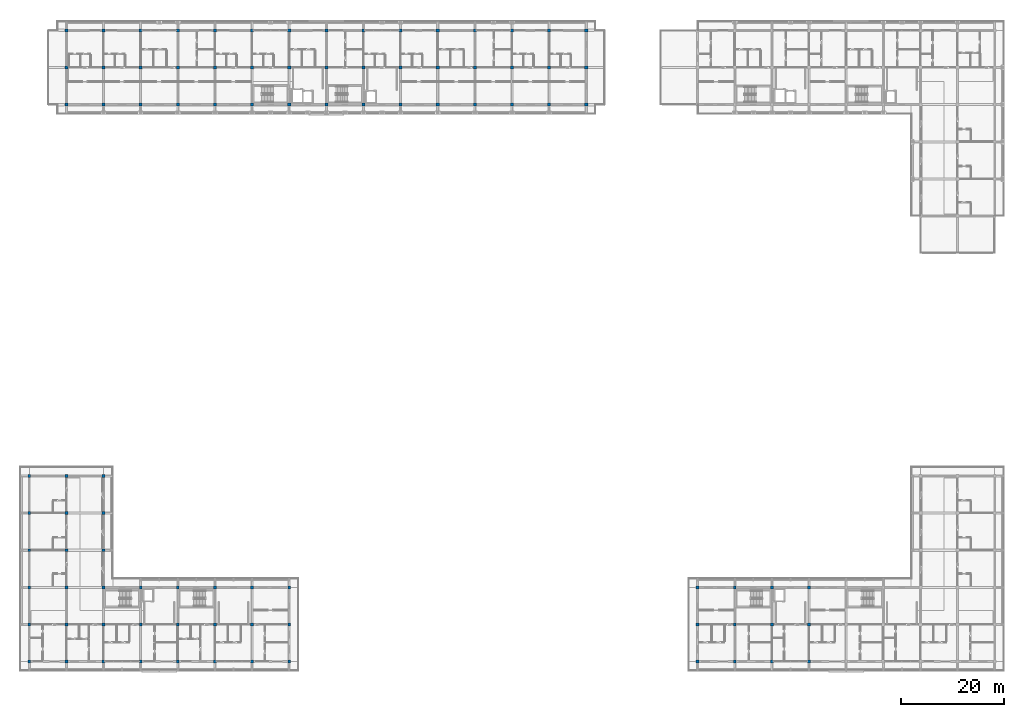
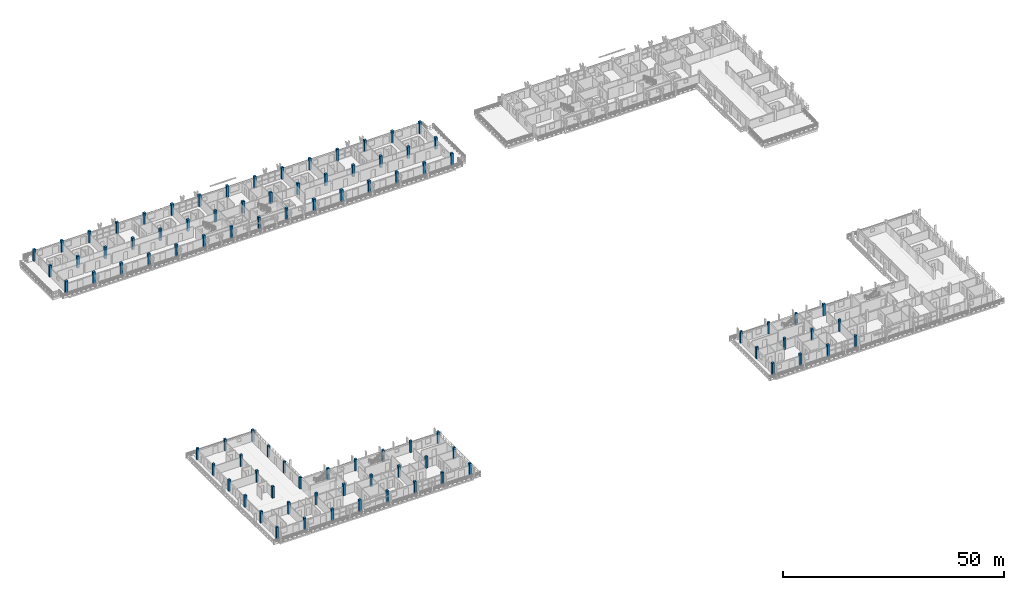
# One storey, part 1 of 73: 90 columns.
"""IFC4 building model written with IfcOpenShell, lengths in metres."""

import ifcopenshell
import ifcopenshell.guid

model = None  # the IFC model being written
_history = None  # IfcOwnerHistory: only IFC2X3 demands one
_inside = {}  # id of a spatial element -> (the spatial element, [elements in it])
_under = {}  # id of a project, library or spatial element -> (it, [spatial elements below it])
_declared = {}  # id of a project -> (the project, [libraries it declares])
_typed = {}  # id of a type object -> (the type object, [elements of that type])
_made_of = {}  # id of a material, layer set ... -> (it, [elements and type objects made of it])


def new_model(schema):
    """Start an empty IFC model of exactly this schema.

    Asked for "IFC4X3", IfcOpenShell would pick the latest addendum, in which some entities
    have other attributes; the version numbers below select the first issue.
    IFC2X3 requires an IfcOwnerHistory on every rooted entity: one is made here for all.
    """
    global model, _history
    if schema == "IFC4X3":
        model = ifcopenshell.file(schema_version=(4, 3, 0, 0))
    else:
        model = ifcopenshell.file(schema=schema)
    _inside.clear()
    _under.clear()
    _declared.clear()
    _typed.clear()
    _made_of.clear()
    _history = None
    if model.schema == "IFC2X3":
        org = make("IfcOrganization", Name="unknown")
        user = make(
            "IfcPersonAndOrganization",
            ThePerson=make("IfcPerson", FamilyName="unknown"),
            TheOrganization=org,
        )
        app = make(
            "IfcApplication",
            ApplicationDeveloper=org,
            Version="unknown",
            ApplicationFullName="unknown",
            ApplicationIdentifier="unknown",
        )
        _history = make(
            "IfcOwnerHistory",
            OwningUser=user,
            OwningApplication=app,
            ChangeAction="ADDED",
            CreationDate=0,
        )
    return model


def make(cls, **values):
    """One entity of the class cls with the attributes given. An attribute that is None is left unset."""
    return model.create_entity(
        cls, **{name: value for name, value in values.items() if value is not None}
    )


def rooted(cls, **values):
    """An entity with a GlobalId (a new one), such as an element, a storey or a relation."""
    return make(cls, GlobalId=ifcopenshell.guid.new(), OwnerHistory=_history, **values)


def si_unit(unit_type, name, prefix=None):
    """IfcSIUnit, for example si_unit("LENGTHUNIT", "METRE", prefix="MILLI")."""
    return make("IfcSIUnit", UnitType=unit_type, Prefix=prefix, Name=name)


def assignment(units):
    """IfcUnitAssignment: the units of a project."""
    return None if units is None else make("IfcUnitAssignment", Units=units)


def point(xyz):
    """IfcCartesianPoint."""
    return None if xyz is None else make("IfcCartesianPoint", Coordinates=xyz)


def direction(xyz):
    """IfcDirection."""
    return None if xyz is None else make("IfcDirection", DirectionRatios=xyz)


def frame(location, z_axis=None, x_axis=None):
    """IfcAxis2Placement3D, a coordinate frame: its origin and axes. An axis left out is left unset."""
    return make(
        "IfcAxis2Placement3D",
        Location=point(location),
        Axis=direction(z_axis),
        RefDirection=direction(x_axis),
    )


def frame_2d(location, x_axis=None):
    """IfcAxis2Placement2D, a coordinate frame in the plane: its origin and x axis."""
    return make(
        "IfcAxis2Placement2D", Location=point(location), RefDirection=direction(x_axis)
    )


def origin():
    """The frame at (0, 0, 0) with its axes left unset."""
    return frame((0.0, 0.0, 0.0))


def origin_2d():
    """The frame at (0, 0) in the plane with its x axis left unset."""
    return frame_2d((0.0, 0.0))


def place(relative_to, where):
    """IfcLocalPlacement: puts the frame where relative to a parent placement (None: the world)."""
    return make(
        "IfcLocalPlacement", PlacementRelTo=relative_to, RelativePlacement=where
    )


def context(
    kind, dimensions, precision=None, world=None, true_north=None, identifier=None
):
    """IfcGeometricRepresentationContext, for example the 3D "Model" context."""
    return make(
        "IfcGeometricRepresentationContext",
        ContextIdentifier=identifier,
        ContextType=kind,
        CoordinateSpaceDimension=dimensions,
        Precision=precision,
        WorldCoordinateSystem=world,
        TrueNorth=true_north,
    )


def subcontext(parent, identifier, kind, view, scale=None):
    """IfcGeometricRepresentationSubContext, for example "Body" below "Model"."""
    return make(
        "IfcGeometricRepresentationSubContext",
        ContextIdentifier=identifier,
        ContextType=kind,
        ParentContext=parent,
        TargetScale=scale,
        TargetView=view,
    )


def project(units=None, contexts=None):
    """IfcProject with its units and contexts."""
    return rooted(
        "IfcProject",
        Name="project",
        RepresentationContexts=contexts,
        UnitsInContext=assignment(units),
    )


def spatial(cls, under=None, at=None, **own):
    """A site, building, storey or space (cls), placed at a placement, below another one or the project."""
    s = rooted(cls, ObjectPlacement=at, **own)
    if under is not None:
        _under.setdefault(under.id(), (under, []))[1].append(s)
    return s


def profile(cls, at=None, kind="AREA", **sizes):
    """A parametric profile (cls). Its sizes go by their IFC names, for example OverallWidth=200.0."""
    return make(cls, ProfileType=kind, Position=at, **sizes)


def rectangle(**sizes):
    """IfcRectangleProfileDef."""
    return profile("IfcRectangleProfileDef", **sizes)


def extrude(swept, where, along, depth):
    """IfcExtrudedAreaSolid: the profile swept, set in the frame where, extruded along a direction by depth."""
    return make(
        "IfcExtrudedAreaSolid",
        SweptArea=swept,
        Position=where,
        ExtrudedDirection=direction(along),
        Depth=depth,
    )


def shape(context_of_items, identifier, shape_type, items):
    """IfcShapeRepresentation: the items that make up one representation, for example the "Body"."""
    return make(
        "IfcShapeRepresentation",
        ContextOfItems=context_of_items,
        RepresentationIdentifier=identifier,
        RepresentationType=shape_type,
        Items=items,
    )


def material(Name=None, Category=None):
    """IfcMaterial."""
    return make("IfcMaterial", Name=Name, Category=Category)


def material_profile(
    of_material, cross_section, Name=None, Category=None, Priority=None
):
    """IfcMaterialProfile: a cross section and its material."""
    return make(
        "IfcMaterialProfile",
        Name=Name,
        Material=of_material,
        Profile=cross_section,
        Priority=Priority,
        Category=Category,
    )


def profile_set(profiles, Name=None, composite=None):
    """IfcMaterialProfileSet."""
    return make(
        "IfcMaterialProfileSet",
        Name=Name,
        MaterialProfiles=profiles,
        CompositeProfile=composite,
    )


def made_of(thing, what):
    """Note that an element or type object is made of a material, layer set ...; save() writes the relation."""
    if what is not None:
        _made_of.setdefault(what.id(), (what, []))[1].append(thing)
    return thing


def type_object(cls, material=None, **own):
    """A type object (cls), such as IfcWallType, which elements share."""
    return made_of(rooted(cls, **own), material)


def element(
    cls,
    number,
    at=None,
    inside=None,
    cuts=None,
    type_object=None,
    material=None,
    context=None,
    identifier="Body",
    shape_type=None,
    held_by="IfcProductDefinitionShape",
    body=None,
    shapes=None,
    **own,
):
    """One element of the class cls, such as IfcWall. Its Tag is "e" and its number.

    at: its placement. inside: the storey or other place that contains it. cuts: it is an
    opening in that element (IfcRelVoidsElement). A single representation is given by context,
    identifier, shape_type and body (its items); several are given by shapes. held_by: the class
    of the entity that holds the representations. save() writes the other relations.
    """
    e = rooted(cls, Tag="e%d" % number, ObjectPlacement=at, **own)
    if body is not None:
        shapes = [shape(context, identifier, shape_type, body)]
    if shapes is not None:
        e.Representation = make(held_by, Representations=shapes)
    if inside is not None:
        _inside.setdefault(inside.id(), (inside, []))[1].append(e)
    if cuts is not None:
        rooted(
            "IfcRelVoidsElement", RelatingBuildingElement=cuts, RelatedOpeningElement=e
        )
    if type_object is not None:
        _typed.setdefault(type_object.id(), (type_object, []))[1].append(e)
    return made_of(e, material)


def aggregate(whole, parts):
    """IfcRelAggregates: a whole, such as a stair, and the parts it consists of."""
    return rooted("IfcRelAggregates", RelatingObject=whole, RelatedObjects=parts)


def save(model, path):
    """Write the relations noted so far, then the file.

    IfcRelAggregates (storeys below a building ...), IfcRelContainedInSpatialStructure (elements
    in a storey), IfcRelDefinesByType, IfcRelAssociatesMaterial and IfcRelDeclares: one each for
    every whole, place, type object, material and project.
    """
    for whole, parts in _under.values():
        aggregate(whole, parts)
    for where, things in _inside.values():
        rooted(
            "IfcRelContainedInSpatialStructure",
            RelatedElements=things,
            RelatingStructure=where,
        )
    for kind, things in _typed.values():
        rooted("IfcRelDefinesByType", RelatedObjects=things, RelatingType=kind)
    for what, things in _made_of.values():
        rooted("IfcRelAssociatesMaterial", RelatedObjects=things, RelatingMaterial=what)
    for by, libraries in _declared.values():
        rooted("IfcRelDeclares", RelatingContext=by, RelatedDefinitions=libraries)
    model.write(path)


model = new_model("IFC4")

# Units and contexts
model_context = context("Model", 3, precision=1e-05, world=origin(), true_north=direction((0.0, 1.0)))
body_context = subcontext(model_context, "Body", "Model", "MODEL_VIEW")
ifc_project = project(units=[si_unit("LENGTHUNIT", "METRE"), si_unit("AREAUNIT", "SQUARE_METRE"), si_unit("VOLUMEUNIT", "CUBIC_METRE"), si_unit("PLANEANGLEUNIT", "RADIAN"), si_unit("MASSUNIT", "GRAM", prefix="KILO")], contexts=[model_context])

# Site, building, storey
site_placement = place(None, origin())
site = spatial("IfcSite", under=ifc_project, at=site_placement, CompositionType="ELEMENT")
building_placement = place(site_placement, origin())
building = spatial("IfcBuilding", under=site, at=building_placement, Name="Suanplinth Sawtooth Commons", CompositionType="ELEMENT")
storey_placement = place(building_placement, frame((0.0, 0.0, 21.89990234375)))
storey = spatial("IfcBuildingStorey", under=building, at=storey_placement, Name="L06", CompositionType="ELEMENT", Elevation=21.89990234375)

# Columns
ifc_material = material(Name="Precast concrete C40/50", Category="concrete")
ifc_material_profile_1 = material_profile(ifc_material, rectangle(XDim=0.60009765625, YDim=0.60009765625, at=origin_2d()), Name="PC-COL 600x600")
ifc_profile_set_1 = profile_set([ifc_material_profile_1], Name="Precast concrete C40/50")
column_type_1 = type_object("IfcColumnType", Name="C-04", PredefinedType="COLUMN", material=ifc_profile_set_1)
for number, where, z_axis, x_axis, name in (
    (1, (7.199951171875, 108.0, 0.0), (0.0, 0.0, 1.0), (1.0, 0.0, 0.0), "Column L06 2/R"),
    (2, (7.199951171875, 115.199951171875, 0.0), (0.0, 0.0, 1.0), (1.0, 0.0, 0.0), "Column L06 2/S"),
    (3, (7.199951171875, 122.39990234375, 0.0), (0.0, 0.0, 1.0), (1.0, 0.0, 0.0), "Column L06 2/T"),
    (4, (14.39990234375, 108.0, 0.0), (0.0, 0.0, 1.0), (1.0, 0.0, 0.0), "Column L06 3/R"),
    (5, (14.39990234375, 115.199951171875, 0.0), (0.0, 0.0, 1.0), (1.0, 0.0, 0.0), "Column L06 3/S"),
    (6, (14.39990234375, 122.39990234375, 0.0), (0.0, 0.0, 1.0), (1.0, 0.0, 0.0), "Column L06 3/T"),
    (7, (21.60009765625, 108.0, 0.0), (0.0, 0.0, 1.0), (1.0, 0.0, 0.0), "Column L06 4/R"),
    (8, (21.60009765625, 115.199951171875, 0.0), (0.0, 0.0, 1.0), (1.0, 0.0, 0.0), "Column L06 4/S"),
    (9, (21.60009765625, 122.39990234375, 0.0), (0.0, 0.0, 1.0), (1.0, 0.0, 0.0), "Column L06 4/T"),
    (10, (28.800048828125, 108.0, 0.0), (0.0, 0.0, 1.0), (1.0, 0.0, 0.0), "Column L06 5/R"),
    (11, (28.800048828125, 115.199951171875, 0.0), (0.0, 0.0, 1.0), (1.0, 0.0, 0.0), "Column L06 5/S"),
    (12, (28.800048828125, 122.39990234375, 0.0), (0.0, 0.0, 1.0), (1.0, 0.0, 0.0), "Column L06 5/T"),
    (13, (36.0, 108.0, 0.0), (0.0, 0.0, 1.0), (1.0, 0.0, 0.0), "Column L06 6/R"),
    (14, (36.0, 115.199951171875, 0.0), (0.0, 0.0, 1.0), (1.0, 0.0, 0.0), "Column L06 6/S"),
    (15, (36.0, 122.39990234375, 0.0), (0.0, 0.0, 1.0), (1.0, 0.0, 0.0), "Column L06 6/T"),
    (16, (43.199951171875, 108.0, 0.0), (0.0, 0.0, 1.0), (1.0, 0.0, 0.0), "Column L06 7/R"),
    (17, (43.199951171875, 115.199951171875, 0.0), (0.0, 0.0, 1.0), (1.0, 0.0, 0.0), "Column L06 7/S"),
    (18, (43.199951171875, 122.39990234375, 0.0), (0.0, 0.0, 1.0), (1.0, 0.0, 0.0), "Column L06 7/T"),
    (19, (50.39990234375, 108.0, 0.0), (0.0, 0.0, 1.0), (1.0, 0.0, 0.0), "Column L06 8/R"),
    (20, (50.39990234375, 115.199951171875, 0.0), (0.0, 0.0, 1.0), (1.0, 0.0, 0.0), "Column L06 8/S"),
    (21, (50.39990234375, 122.39990234375, 0.0), (0.0, 0.0, 1.0), (1.0, 0.0, 0.0), "Column L06 8/T"),
    (22, (57.60009765625, 108.0, 0.0), (0.0, 0.0, 1.0), (1.0, 0.0, 0.0), "Column L06 9/R"),
    (23, (57.60009765625, 115.199951171875, 0.0), (0.0, 0.0, 1.0), (1.0, 0.0, 0.0), "Column L06 9/S"),
    (24, (57.60009765625, 122.39990234375, 0.0), (0.0, 0.0, 1.0), (1.0, 0.0, 0.0), "Column L06 9/T"),
    (25, (64.800048828125, 108.0, 0.0), (0.0, 0.0, 1.0), (1.0, 0.0, 0.0), "Column L06 10/R"),
    (26, (64.800048828125, 115.199951171875, 0.0), (0.0, 0.0, 1.0), (1.0, 0.0, 0.0), "Column L06 10/S"),
    (27, (64.800048828125, 122.39990234375, 0.0), (0.0, 0.0, 1.0), (1.0, 0.0, 0.0), "Column L06 10/T"),
    (28, (72.0, 108.0, 0.0), (0.0, 0.0, 1.0), (1.0, 0.0, 0.0), "Column L06 11/R"),
    (29, (72.0, 115.199951171875, 0.0), (0.0, 0.0, 1.0), (1.0, 0.0, 0.0), "Column L06 11/S"),
    (30, (72.0, 122.39990234375, 0.0), (0.0, 0.0, 1.0), (1.0, 0.0, 0.0), "Column L06 11/T"),
    (31, (79.199951171875, 108.0, 0.0), (0.0, 0.0, 1.0), (1.0, 0.0, 0.0), "Column L06 12/R"),
    (32, (79.199951171875, 115.199951171875, 0.0), (0.0, 0.0, 1.0), (1.0, 0.0, 0.0), "Column L06 12/S"),
    (33, (79.199951171875, 122.39990234375, 0.0), (0.0, 0.0, 1.0), (1.0, 0.0, 0.0), "Column L06 12/T"),
    (34, (86.39990234375, 108.0, 0.0), (0.0, 0.0, 1.0), (1.0, 0.0, 0.0), "Column L06 13/R"),
    (35, (86.39990234375, 115.199951171875, 0.0), (0.0, 0.0, 1.0), (1.0, 0.0, 0.0), "Column L06 13/S"),
    (36, (86.39990234375, 122.39990234375, 0.0), (0.0, 0.0, 1.0), (1.0, 0.0, 0.0), "Column L06 13/T"),
    (37, (93.60009765625, 108.0, 0.0), (0.0, 0.0, 1.0), (1.0, 0.0, 0.0), "Column L06 14/R"),
    (38, (93.60009765625, 115.199951171875, 0.0), (0.0, 0.0, 1.0), (1.0, 0.0, 0.0), "Column L06 14/S"),
    (39, (93.60009765625, 122.39990234375, 0.0), (0.0, 0.0, 1.0), (1.0, 0.0, 0.0), "Column L06 14/T"),
    (40, (100.800048828125, 108.0, 0.0), (0.0, 0.0, 1.0), (1.0, 0.0, 0.0), "Column L06 15/R"),
    (41, (100.800048828125, 115.199951171875, 0.0), (0.0, 0.0, 1.0), (1.0, 0.0, 0.0), "Column L06 15/S"),
    (42, (100.800048828125, 122.39990234375, 0.0), (0.0, 0.0, 1.0), (1.0, 0.0, 0.0), "Column L06 15/T"),
    (43, (108.0, 108.0, 0.0), (0.0, 0.0, 1.0), (1.0, 0.0, 0.0), "Column L06 16/R"),
    (44, (108.0, 115.199951171875, 0.0), (0.0, 0.0, 1.0), (1.0, 0.0, 0.0), "Column L06 16/S"),
    (45, (108.0, 122.39990234375, 0.0), (0.0, 0.0, 1.0), (1.0, 0.0, 0.0), "Column L06 16/T"),
):
    element("IfcColumn", number, at=place(storey_placement, frame(where, z_axis=z_axis, x_axis=x_axis)), inside=storey, type_object=column_type_1, Name=name, PredefinedType="COLUMN", context=body_context, shape_type="SweptSolid", body=[
        extrude(rectangle(XDim=0.60009765625, YDim=0.60009765625, at=origin_2d()), origin(), (0.0, 0.0, 1.0), 3.2001953125),
    ])
ifc_material_profile_2 = material_profile(ifc_material, rectangle(XDim=0.550048828125, YDim=0.550048828125, at=origin_2d()), Name="PC-COL 550x550")
ifc_profile_set_2 = profile_set([ifc_material_profile_2], Name="Precast concrete C40/50")
column_type_2 = type_object("IfcColumnType", Name="C-05", PredefinedType="COLUMN", material=ifc_profile_set_2)
for number, where, z_axis, x_axis, name in (
    (46, (0.0, 0.0, 0.0), (0.0, 0.0, 1.0), (1.0, 0.0, 0.0), "Column L06 1/A"),
    (47, (0.0, 7.199951171875, 0.0), (0.0, 0.0, 1.0), (1.0, 0.0, 0.0), "Column L06 1/B"),
    (48, (0.0, 14.39990234375, 0.0), (0.0, 0.0, 1.0), (1.0, 0.0, 0.0), "Column L06 1/C"),
    (49, (0.0, 21.60009765625, 0.0), (0.0, 0.0, 1.0), (1.0, 0.0, 0.0), "Column L06 1/D"),
    (50, (0.0, 28.800048828125, 0.0), (0.0, 0.0, 1.0), (1.0, 0.0, 0.0), "Column L06 1/E"),
    (51, (0.0, 36.0, 0.0), (0.0, 0.0, 1.0), (1.0, 0.0, 0.0), "Column L06 1/F"),
    (52, (7.199951171875, 0.0, 0.0), (0.0, 0.0, 1.0), (1.0, 0.0, 0.0), "Column L06 2/A"),
    (53, (7.199951171875, 7.199951171875, 0.0), (0.0, 0.0, 1.0), (1.0, 0.0, 0.0), "Column L06 2/B"),
    (54, (7.199951171875, 14.39990234375, 0.0), (0.0, 0.0, 1.0), (1.0, 0.0, 0.0), "Column L06 2/C"),
    (55, (7.199951171875, 21.60009765625, 0.0), (0.0, 0.0, 1.0), (1.0, 0.0, 0.0), "Column L06 2/D"),
    (56, (7.199951171875, 28.800048828125, 0.0), (0.0, 0.0, 1.0), (1.0, 0.0, 0.0), "Column L06 2/E"),
    (57, (7.199951171875, 36.0, 0.0), (0.0, 0.0, 1.0), (1.0, 0.0, 0.0), "Column L06 2/F"),
    (58, (14.39990234375, 0.0, 0.0), (0.0, 0.0, 1.0), (1.0, 0.0, 0.0), "Column L06 3/A"),
    (59, (14.39990234375, 7.199951171875, 0.0), (0.0, 0.0, 1.0), (1.0, 0.0, 0.0), "Column L06 3/B"),
    (60, (14.39990234375, 14.39990234375, 0.0), (0.0, 0.0, 1.0), (1.0, 0.0, 0.0), "Column L06 3/C"),
    (61, (14.39990234375, 21.60009765625, 0.0), (0.0, 0.0, 1.0), (1.0, 0.0, 0.0), "Column L06 3/D"),
    (62, (14.39990234375, 28.800048828125, 0.0), (0.0, 0.0, 1.0), (1.0, 0.0, 0.0), "Column L06 3/E"),
    (63, (14.39990234375, 36.0, 0.0), (0.0, 0.0, 1.0), (1.0, 0.0, 0.0), "Column L06 3/F"),
    (64, (21.60009765625, 0.0, 0.0), (0.0, 0.0, 1.0), (1.0, 0.0, 0.0), "Column L06 4/A"),
    (65, (21.60009765625, 7.199951171875, 0.0), (0.0, 0.0, 1.0), (1.0, 0.0, 0.0), "Column L06 4/B"),
    (66, (21.60009765625, 14.39990234375, 0.0), (0.0, 0.0, 1.0), (1.0, 0.0, 0.0), "Column L06 4/C"),
    (67, (28.800048828125, 0.0, 0.0), (0.0, 0.0, 1.0), (1.0, 0.0, 0.0), "Column L06 5/A"),
    (68, (28.800048828125, 7.199951171875, 0.0), (0.0, 0.0, 1.0), (1.0, 0.0, 0.0), "Column L06 5/B"),
    (69, (28.800048828125, 14.39990234375, 0.0), (0.0, 0.0, 1.0), (1.0, 0.0, 0.0), "Column L06 5/C"),
    (70, (36.0, 0.0, 0.0), (0.0, 0.0, 1.0), (1.0, 0.0, 0.0), "Column L06 6/A"),
    (71, (36.0, 7.199951171875, 0.0), (0.0, 0.0, 1.0), (1.0, 0.0, 0.0), "Column L06 6/B"),
    (72, (36.0, 14.39990234375, 0.0), (0.0, 0.0, 1.0), (1.0, 0.0, 0.0), "Column L06 6/C"),
    (73, (43.199951171875, 0.0, 0.0), (0.0, 0.0, 1.0), (1.0, 0.0, 0.0), "Column L06 7/A"),
    (74, (43.199951171875, 7.199951171875, 0.0), (0.0, 0.0, 1.0), (1.0, 0.0, 0.0), "Column L06 7/B"),
    (75, (43.199951171875, 14.39990234375, 0.0), (0.0, 0.0, 1.0), (1.0, 0.0, 0.0), "Column L06 7/C"),
    (76, (50.39990234375, 0.0, 0.0), (0.0, 0.0, 1.0), (1.0, 0.0, 0.0), "Column L06 8/A"),
    (77, (50.39990234375, 7.199951171875, 0.0), (0.0, 0.0, 1.0), (1.0, 0.0, 0.0), "Column L06 8/B"),
    (78, (50.39990234375, 14.39990234375, 0.0), (0.0, 0.0, 1.0), (1.0, 0.0, 0.0), "Column L06 8/C"),
    (79, (129.60009765625, 0.0, 0.0), (0.0, 0.0, 1.0), (1.0, 0.0, 0.0), "Column L06 19/A"),
    (80, (129.60009765625, 7.199951171875, 0.0), (0.0, 0.0, 1.0), (1.0, 0.0, 0.0), "Column L06 19/B"),
    (81, (129.60009765625, 14.39990234375, 0.0), (0.0, 0.0, 1.0), (1.0, 0.0, 0.0), "Column L06 19/C"),
    (82, (136.800048828125, 0.0, 0.0), (0.0, 0.0, 1.0), (1.0, 0.0, 0.0), "Column L06 20/A"),
    (83, (136.800048828125, 7.199951171875, 0.0), (0.0, 0.0, 1.0), (1.0, 0.0, 0.0), "Column L06 20/B"),
    (84, (136.800048828125, 14.39990234375, 0.0), (0.0, 0.0, 1.0), (1.0, 0.0, 0.0), "Column L06 20/C"),
    (85, (144.0, 0.0, 0.0), (0.0, 0.0, 1.0), (1.0, 0.0, 0.0), "Column L06 21/A"),
    (86, (144.0, 7.199951171875, 0.0), (0.0, 0.0, 1.0), (1.0, 0.0, 0.0), "Column L06 21/B"),
    (87, (144.0, 14.39990234375, 0.0), (0.0, 0.0, 1.0), (1.0, 0.0, 0.0), "Column L06 21/C"),
    (88, (151.199951171875, 0.0, 0.0), (0.0, 0.0, 1.0), (1.0, 0.0, 0.0), "Column L06 22/A"),
    (89, (151.199951171875, 7.199951171875, 0.0), (0.0, 0.0, 1.0), (1.0, 0.0, 0.0), "Column L06 22/B"),
    (90, (151.199951171875, 14.39990234375, 0.0), (0.0, 0.0, 1.0), (1.0, 0.0, 0.0), "Column L06 22/C"),
):
    element("IfcColumn", number, at=place(storey_placement, frame(where, z_axis=z_axis, x_axis=x_axis)), inside=storey, type_object=column_type_2, Name=name, PredefinedType="COLUMN", context=body_context, shape_type="SweptSolid", body=[
        extrude(rectangle(XDim=0.550048828125, YDim=0.550048828125, at=origin_2d()), origin(), (0.0, 0.0, 1.0), 3.2001953125),
    ])

save(model, "model.ifc")
